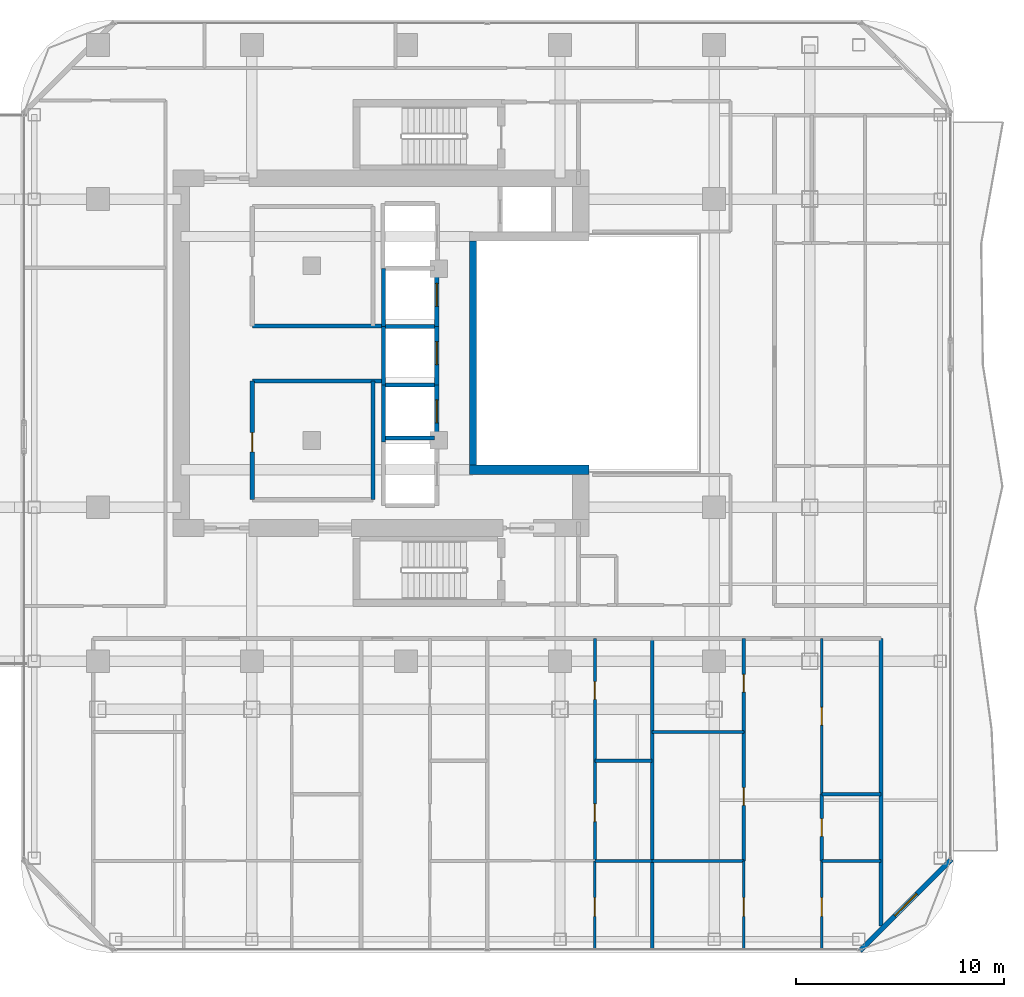
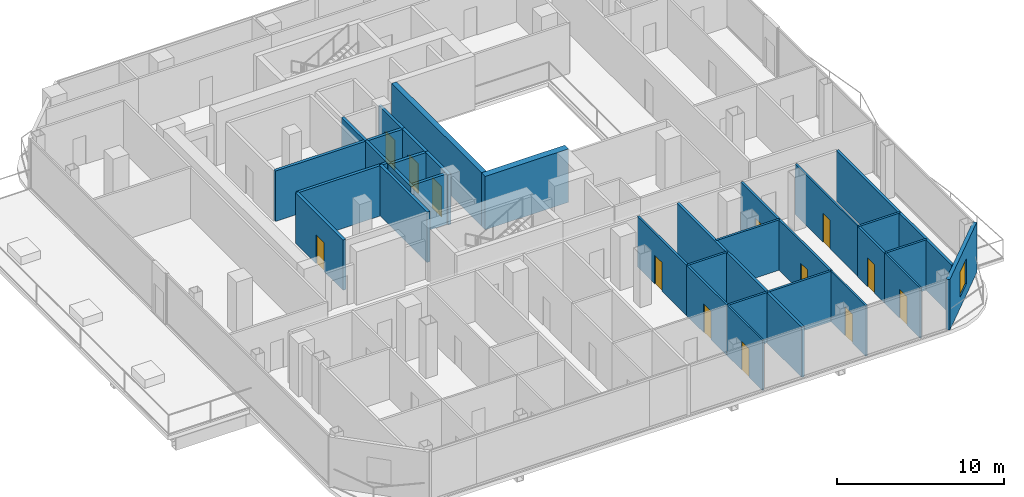
# One storey, part 21 of 26: 33 walls, 13 doors, 1 window, 14 openings.
"""IFC4 building model written with IfcOpenShell, lengths in metres."""

from ifc_helpers import new_model, si_unit, direction, frame, frame_2d, origin, place, context, subcontext, project, spatial, rectangle, extrude, material, layer, layer_set, type_object, element, fill, save


model = new_model("IFC4")

# Units and contexts
model_context = context("Model", 3, precision=1e-05, world=origin(), true_north=direction((0.0, 1.0)))
body_context = subcontext(model_context, "Body", "Model", "MODEL_VIEW")
ifc_project = project(units=[si_unit("LENGTHUNIT", "METRE"), si_unit("AREAUNIT", "SQUARE_METRE"), si_unit("VOLUMEUNIT", "CUBIC_METRE"), si_unit("PLANEANGLEUNIT", "RADIAN"), si_unit("MASSUNIT", "GRAM", prefix="KILO")], contexts=[model_context])

# Site, building, storey
site_placement = place(None, origin())
site = spatial("IfcSite", under=ifc_project, at=site_placement, CompositionType="ELEMENT")
building_placement = place(site_placement, origin())
building = spatial("IfcBuilding", under=site, at=building_placement, Name="Khorvyn Point Tower", CompositionType="ELEMENT")
storey_placement = place(building_placement, frame((0.0, 0.0, 219.60009765625)))
storey = spatial("IfcBuildingStorey", under=building, at=storey_placement, Name="L54", CompositionType="ELEMENT", Elevation=219.60009765625)

# Walls
ifc_material_1 = material(Name="Double acoustic gypsum on twin steel stud", Category="steel")
ifc_layer_1 = layer(ifc_material_1, 0.179931640625)
ifc_layer_set_1 = layer_set([ifc_layer_1], Name="Acoustic Double-Stud Apartment Demising Wall 180")
wall_type_1 = type_object("IfcWallType", Name="Acoustic Double-Stud Apartment Demising Wall 180", PredefinedType="PARTITIONING", material=ifc_layer_set_1)
wall_1_placement = place(storey_placement, frame((11.826904296875, -28.6298828125, 0.0), z_axis=(0.0, 0.0, 1.0), x_axis=(0.0, 1.0, 0.0)))
element("IfcWall", 1, at=wall_1_placement, inside=storey, type_object=wall_type_1, Name="Wall", PredefinedType="PARTITIONING", context=body_context, shape_type="SweptSolid", body=[
    extrude(rectangle(XDim=14.929931640625, YDim=0.179931640625, at=frame_2d((7.46484375, 0.0))), origin(), (0.0, 0.0, 1.0), 3.679931640625),
])
wall_2_placement = place(storey_placement, frame((22.820068359375, -27.510009765625, 0.0), z_axis=(0.0, 0.0, 1.0), x_axis=(0.0, 1.0, 0.0)))
element("IfcWall", 2, at=wall_2_placement, inside=storey, type_object=wall_type_1, Name="Wall", PredefinedType="PARTITIONING", context=body_context, shape_type="SweptSolid", body=[
    extrude(rectangle(XDim=13.81005859375, YDim=0.179931640625, at=frame_2d((6.905029296875, 0.0))), origin(), (0.0, 0.0, 1.0), 3.679931640625),
])

# Wall, opening, window
ifc_material_2 = material(Name="Pale anodised aluminium rainscreen on steel stud", Category="steel")
ifc_layer_2 = layer(ifc_material_2, 0.239990234375)
ifc_layer_set_2 = layer_set([ifc_layer_2], Name="Anodised Aluminium Insulated Corner Spandrel Wall 240")
wall_type_2 = type_object("IfcWallType", Name="Anodised Aluminium Insulated Corner Spandrel Wall 240", PredefinedType="SOLIDWALL", material=ifc_layer_set_2)
wall_3_placement = place(storey_placement, frame((26.1923828125, -24.3076171875, 0.0), z_axis=(0.0, 0.0, 1.0), x_axis=(-0.707106781187, -0.707106781187, 0.0)))
wall_3 = element("IfcWall", 3, at=wall_3_placement, inside=storey, type_object=wall_type_2, Name="L54 Rounded Corner Wall SE", PredefinedType="SOLIDWALL", context=body_context, shape_type="SweptSolid", body=[
    extrude(rectangle(XDim=6.200927734375, YDim=0.239990234375, at=frame_2d((3.1005859375, 0.0))), origin(), (0.0, 0.0, 1.0), 3.679931640625),
])
opening_1_placement = place(wall_3_placement, frame((2.3505859375, 0.0, 0.800048828125)))
opening_1 = element("IfcOpeningElement", 4, at=opening_1_placement, cuts=wall_3, Name="Opening WN-1518", PredefinedType="OPENING", context=body_context, shape_type="SweptSolid", body=[
    extrude(rectangle(XDim=1.5, YDim=1.85009765625, at=frame_2d((0.75, 0.925048828125))), frame((0.0, 0.1298828125, 0.0), z_axis=(0.0, -1.0, 0.0), x_axis=(1.0, 0.0, 0.0)), (0.0, 0.0, 1.0), 0.260009765625),
])
ifc_material_3 = material(Name="Anodised aluminium 6063-T6 and laminated Low-E glass", Category="aluminium")
window_type = type_object("IfcWindowType", Name="Anodised Aluminium Rounded-Corner Panoramic Window 1500x1850", PartitioningType="SINGLE_PANEL", PredefinedType="WINDOW", material=ifc_material_3)
window_placement = place(opening_1_placement, origin())
window = element("IfcWindow", 5, at=window_placement, inside=storey, type_object=window_type, Name="L54 Corner Panoramic Window SE", OverallHeight=1.85009765625, OverallWidth=1.5, PartitioningType="SINGLE_PANEL", PredefinedType="WINDOW", context=body_context, shape_type="SweptSolid", body=[
    extrude(rectangle(XDim=1.5, YDim=1.85009765625, at=frame_2d((0.75, 0.925048828125))), frame((0.0, 0.030029296875, 0.0), z_axis=(0.0, -1.0, 0.0), x_axis=(1.0, 0.0, 0.0)), (0.0, 0.0, 1.0), 0.06005859375),
])
fill(opening_1, window)

# Wall
ifc_material_4 = material(Name="Concrete C40/50", Category="concrete")
ifc_layer_3 = layer(ifc_material_4, 0.449951171875)
ifc_layer_set_3 = layer_set([ifc_layer_3], Name="Concrete C40/50 Core Shear Wall 450")
wall_type_3 = type_object("IfcWallType", Name="Concrete C40/50 Core Shear Wall 450", PredefinedType="SHEAR", material=ifc_layer_set_3)
wall_4_placement = place(storey_placement, frame((3.044921875, -5.60009765625, 0.0), z_axis=(0.0, 0.0, 1.0), x_axis=(1.0, 0.0, 0.0)))
element("IfcWall", 6, at=wall_4_placement, inside=storey, type_object=wall_type_3, Name="Wall", PredefinedType="SHEAR", context=body_context, shape_type="SweptSolid", body=[
    extrude(rectangle(XDim=5.755126953125, YDim=0.449951171875, at=frame_2d((2.87744140625, 0.0))), origin(), (0.0, 0.0, 1.0), 3.89990234375),
])

# Wall, opening, door
ifc_layer_4 = layer(ifc_material_4, 0.199951171875)
ifc_layer_set_4 = layer_set([ifc_layer_4], Name="Concrete C40/50 Fire-Lobby Compartment Wall 200")
wall_type_4 = type_object("IfcWallType", Name="Concrete C40/50 Fire-Lobby Compartment Wall 200", PredefinedType="SOLIDWALL", material=ifc_layer_set_4)
wall_5_placement = place(storey_placement, frame((-7.3798828125, -7.0400390625, 0.0), z_axis=(0.0, 0.0, 1.0), x_axis=(0.0, 1.0, 0.0)))
wall_5 = element("IfcWall", 7, at=wall_5_placement, inside=storey, type_object=wall_type_4, Name="Wall", PredefinedType="SOLIDWALL", context=body_context, shape_type="SweptSolid", body=[
    extrude(rectangle(XDim=5.699951171875, YDim=0.199951171875, at=frame_2d((2.85009765625, 0.0))), origin(), (0.0, 0.0, 1.0), 3.679931640625),
])
opening_2_placement = place(wall_5_placement, frame((2.30078125, 0.0, 0.0)))
opening_2 = element("IfcOpeningElement", 8, at=opening_2_placement, cuts=wall_5, Name="Opening ID-RS60", PredefinedType="OPENING", context=body_context, shape_type="SweptSolid", body=[
    extrude(rectangle(XDim=0.919921875, YDim=2.10009765625, at=frame_2d((0.4599609375, 1.050048828125))), frame((0.0, 0.10986328125, 0.0), z_axis=(0.0, -1.0, 0.0), x_axis=(1.0, 0.0, 0.0)), (0.0, 0.0, 1.0), 0.219970703125),
])
ifc_material_5 = material(Name="Galvanised powder-coated steel", Category="steel")
door_type_1 = type_object("IfcDoorType", Name="Fire-Rated Riser and Store Steel Door 920x2100", OperationType="NOTDEFINED", PredefinedType="DOOR", material=ifc_material_5)
door_1_placement = place(opening_2_placement, origin())
door_1 = element("IfcDoor", 9, at=door_1_placement, inside=storey, type_object=door_type_1, Name="Door", OperationType="SINGLE_SWING_LEFT", OverallHeight=2.10009765625, OverallWidth=0.919921875, PredefinedType="DOOR", context=body_context, shape_type="SweptSolid", body=[
    extrude(rectangle(XDim=0.919921875, YDim=2.10009765625, at=frame_2d((0.4599609375, 1.050048828125))), frame((0.0, 0.02490234375, 0.0), z_axis=(0.0, -1.0, 0.0), x_axis=(1.0, 0.0, 0.0)), (0.0, 0.0, 1.0), 0.050048828125),
])
fill(opening_2, door_1)

# Walls
for number, where, z_axis, x_axis, name in (
    (10, (-7.3798828125, -1.340087890625, 0.0), (0.0, 0.0, 1.0), (1.0, 0.0, 0.0), "Wall"),
    (11, (-7.3798828125, 1.300048828125, 0.0), (0.0, 0.0, 1.0), (1.0, 0.0, 0.0), "Wall"),
):
    element("IfcWall", number, at=place(storey_placement, frame(where, z_axis=z_axis, x_axis=x_axis)), inside=storey, type_object=wall_type_4, Name=name, PredefinedType="SOLIDWALL", context=body_context, shape_type="SweptSolid", body=[
        extrude(rectangle(XDim=6.239990234375, YDim=0.199951171875, at=frame_2d((3.1201171875, 0.0))), origin(), (0.0, 0.0, 1.0), 3.679931640625),
    ])
wall_6_placement = place(storey_placement, frame((-1.580078125, -7.0400390625, 0.0), z_axis=(0.0, 0.0, 1.0), x_axis=(0.0, 1.0, 0.0)))
element("IfcWall", 12, at=wall_6_placement, inside=storey, type_object=wall_type_4, Name="Wall", PredefinedType="SOLIDWALL", context=body_context, shape_type="SweptSolid", body=[
    extrude(rectangle(XDim=5.699951171875, YDim=0.199951171875, at=frame_2d((2.85009765625, 0.0))), origin(), (0.0, 0.0, 1.0), 3.679931640625),
])
ifc_layer_5 = layer(ifc_material_4, 0.35009765625)
ifc_layer_set_5 = layer_set([ifc_layer_5], Name="Concrete C40/50 Stair Shaft Structural Wall 350")
wall_type_5 = type_object("IfcWallType", Name="Concrete C40/50 Stair Shaft Structural Wall 350", PredefinedType="SHEAR", material=ifc_layer_set_5)
wall_7_placement = place(storey_placement, frame((3.219970703125, -5.375, 0.0), z_axis=(0.0, 0.0, 1.0), x_axis=(0.0, 1.0, 0.0)))
element("IfcWall", 13, at=wall_7_placement, inside=storey, type_object=wall_type_5, Name="Wall", PredefinedType="SHEAR", context=body_context, shape_type="SweptSolid", body=[
    extrude(rectangle(XDim=10.75, YDim=0.35009765625, at=frame_2d((5.375, 0.0))), origin(), (0.0, 0.0, 1.0), 3.89990234375),
])
ifc_layer_6 = layer(ifc_material_4, 0.199951171875)
ifc_layer_set_6 = layer_set([ifc_layer_6], Name="Concrete C40/50 Structural Hoistway and Stair Shaft Wall 200")
wall_type_6 = type_object("IfcWallType", Name="Concrete C40/50 Structural Hoistway and Stair Shaft Wall 200", PredefinedType="SHEAR", material=ifc_layer_set_6)
wall_8_placement = place(storey_placement, frame((-1.074951171875, -4.27490234375, 0.0), z_axis=(0.0, 0.0, 1.0), x_axis=(0.0, 1.0, 0.0)))
element("IfcWall", 14, at=wall_8_placement, inside=storey, type_object=wall_type_6, Name="Wall", PredefinedType="SHEAR", context=body_context, shape_type="SweptSolid", body=[
    extrude(rectangle(XDim=2.75, YDim=0.199951171875, at=frame_2d((1.375, 0.0))), origin(), (0.0, 0.0, 1.0), 3.679931640625),
])

# Wall, opening, door
wall_9_placement = place(storey_placement, frame((1.47509765625, -4.27490234375, 0.0), z_axis=(0.0, 0.0, 1.0), x_axis=(0.0, 1.0, 0.0)))
wall_9 = element("IfcWall", 15, at=wall_9_placement, inside=storey, type_object=wall_type_6, Name="Wall", PredefinedType="SHEAR", context=body_context, shape_type="SweptSolid", body=[
    extrude(rectangle(XDim=2.75, YDim=0.199951171875, at=frame_2d((1.375, 0.0))), origin(), (0.0, 0.0, 1.0), 3.679931640625),
])
opening_3_placement = place(wall_9_placement, frame((0.925048828125, 0.0, 0.0)))
opening_3 = element("IfcOpeningElement", 16, at=opening_3_placement, cuts=wall_9, Name="Opening LD-1122", PredefinedType="OPENING", context=body_context, shape_type="SweptSolid", body=[
    extrude(rectangle(XDim=1.10009765625, YDim=2.199951171875, at=frame_2d((0.550048828125, 1.10009765625))), frame((0.0, 0.10986328125, 0.0), z_axis=(0.0, -1.0, 0.0), x_axis=(1.0, 0.0, 0.0)), (0.0, 0.0, 1.0), 0.219970703125),
])
ifc_material_6 = material(Name="Stainless steel 1.4301", Category="steel")
door_type_2 = type_object("IfcDoorType", Name="Stainless Steel Automatic Sliding Lift Landing Door 1100x2200", OperationType="SLIDING_TO_LEFT", PredefinedType="DOOR", material=ifc_material_6)
door_2_placement = place(opening_3_placement, origin())
door_2 = element("IfcDoor", 17, at=door_2_placement, inside=storey, type_object=door_type_2, Name="L54 RH-01 Sliding Lift Landing Door", OperationType="SLIDING_TO_LEFT", OverallHeight=2.199951171875, OverallWidth=1.10009765625, PredefinedType="DOOR", context=body_context, shape_type="SweptSolid", body=[
    extrude(rectangle(XDim=1.10009765625, YDim=2.199951171875, at=frame_2d((0.550048828125, 1.10009765625))), frame((0.0, 0.02490234375, 0.0), z_axis=(0.0, -1.0, 0.0), x_axis=(1.0, 0.0, 0.0)), (0.0, 0.0, 1.0), 0.050048828125),
])
fill(opening_3, door_2)

# Walls
for number, where, z_axis, x_axis, name in (
    (18, (-0.97509765625, -4.074951171875, 0.0), (0.0, 0.0, 1.0), (1.0, 0.0, 0.0), "Wall"),
    (19, (-0.97509765625, -1.52490234375, 0.0), (0.0, 0.0, 1.0), (1.0, 0.0, 0.0), "Wall"),
):
    element("IfcWall", number, at=place(storey_placement, frame(where, z_axis=z_axis, x_axis=x_axis)), inside=storey, type_object=wall_type_6, Name=name, PredefinedType="SHEAR", context=body_context, shape_type="SweptSolid", body=[
        extrude(rectangle(XDim=2.35009765625, YDim=0.199951171875, at=frame_2d((1.175048828125, 0.0))), origin(), (0.0, 0.0, 1.0), 3.679931640625),
    ])
wall_10_placement = place(storey_placement, frame((-1.074951171875, -1.52490234375, 0.0), z_axis=(0.0, 0.0, 1.0), x_axis=(0.0, 1.0, 0.0)))
element("IfcWall", 20, at=wall_10_placement, inside=storey, type_object=wall_type_6, Name="Wall", PredefinedType="SHEAR", context=body_context, shape_type="SweptSolid", body=[
    extrude(rectangle(XDim=2.7998046875, YDim=0.199951171875, at=frame_2d((1.39990234375, 0.0))), origin(), (0.0, 0.0, 1.0), 3.679931640625),
])

# Wall, opening, door
wall_11_placement = place(storey_placement, frame((1.47509765625, -1.52490234375, 0.0), z_axis=(0.0, 0.0, 1.0), x_axis=(0.0, 1.0, 0.0)))
wall_11 = element("IfcWall", 21, at=wall_11_placement, inside=storey, type_object=wall_type_6, Name="Wall", PredefinedType="SHEAR", context=body_context, shape_type="SweptSolid", body=[
    extrude(rectangle(XDim=2.7998046875, YDim=0.199951171875, at=frame_2d((1.39990234375, 0.0))), origin(), (0.0, 0.0, 1.0), 3.679931640625),
])
opening_4_placement = place(wall_11_placement, frame((0.97509765625, 0.0, 0.0)))
opening_4 = element("IfcOpeningElement", 22, at=opening_4_placement, cuts=wall_11, Name="Opening LD-1122", PredefinedType="OPENING", context=body_context, shape_type="SweptSolid", body=[
    extrude(rectangle(XDim=1.10009765625, YDim=2.199951171875, at=frame_2d((0.550048828125, 1.10009765625))), frame((0.0, 0.10986328125, 0.0), z_axis=(0.0, -1.0, 0.0), x_axis=(1.0, 0.0, 0.0)), (0.0, 0.0, 1.0), 0.219970703125),
])
door_3_placement = place(opening_4_placement, origin())
door_3 = element("IfcDoor", 23, at=door_3_placement, inside=storey, type_object=door_type_2, Name="L54 RH-02 Sliding Lift Landing Door", OperationType="SLIDING_TO_LEFT", OverallHeight=2.199951171875, OverallWidth=1.10009765625, PredefinedType="DOOR", context=body_context, shape_type="SweptSolid", body=[
    extrude(rectangle(XDim=1.10009765625, YDim=2.199951171875, at=frame_2d((0.550048828125, 1.10009765625))), frame((0.0, 0.02490234375, 0.0), z_axis=(0.0, -1.0, 0.0), x_axis=(1.0, 0.0, 0.0)), (0.0, 0.0, 1.0), 0.050048828125),
])
fill(opening_4, door_3)

# Walls
wall_12_placement = place(storey_placement, frame((-0.97509765625, 1.27490234375, 0.0), z_axis=(0.0, 0.0, 1.0), x_axis=(1.0, 0.0, 0.0)))
element("IfcWall", 24, at=wall_12_placement, inside=storey, type_object=wall_type_6, Name="Wall", PredefinedType="SHEAR", context=body_context, shape_type="SweptSolid", body=[
    extrude(rectangle(XDim=2.35009765625, YDim=0.199951171875, at=frame_2d((1.175048828125, 0.0))), origin(), (0.0, 0.0, 1.0), 3.679931640625),
])
wall_13_placement = place(storey_placement, frame((-1.074951171875, 1.27490234375, 0.0), z_axis=(0.0, 0.0, 1.0), x_axis=(0.0, 1.0, 0.0)))
element("IfcWall", 25, at=wall_13_placement, inside=storey, type_object=wall_type_6, Name="Wall", PredefinedType="SHEAR", context=body_context, shape_type="SweptSolid", body=[
    extrude(rectangle(XDim=2.800048828125, YDim=0.199951171875, at=frame_2d((1.39990234375, 0.0))), origin(), (0.0, 0.0, 1.0), 3.679931640625),
])

# Wall, opening, door
wall_14_placement = place(storey_placement, frame((1.47509765625, 1.27490234375, 0.0), z_axis=(0.0, 0.0, 1.0), x_axis=(0.0, 1.0, 0.0)))
wall_14 = element("IfcWall", 26, at=wall_14_placement, inside=storey, type_object=wall_type_6, Name="Wall", PredefinedType="SHEAR", context=body_context, shape_type="SweptSolid", body=[
    extrude(rectangle(XDim=2.800048828125, YDim=0.199951171875, at=frame_2d((1.39990234375, 0.0))), origin(), (0.0, 0.0, 1.0), 3.679931640625),
])
opening_5_placement = place(wall_14_placement, frame((0.97509765625, 0.0, 0.0)))
opening_5 = element("IfcOpeningElement", 27, at=opening_5_placement, cuts=wall_14, Name="Opening LD-1122", PredefinedType="OPENING", context=body_context, shape_type="SweptSolid", body=[
    extrude(rectangle(XDim=1.10009765625, YDim=2.199951171875, at=frame_2d((0.550048828125, 1.10009765625))), frame((0.0, 0.10986328125, 0.0), z_axis=(0.0, -1.0, 0.0), x_axis=(1.0, 0.0, 0.0)), (0.0, 0.0, 1.0), 0.219970703125),
])
door_4_placement = place(opening_5_placement, origin())
door_4 = element("IfcDoor", 28, at=door_4_placement, inside=storey, type_object=door_type_2, Name="L54 RH-03 Sliding Lift Landing Door", OperationType="SLIDING_TO_LEFT", OverallHeight=2.199951171875, OverallWidth=1.10009765625, PredefinedType="DOOR", context=body_context, shape_type="SweptSolid", body=[
    extrude(rectangle(XDim=1.10009765625, YDim=2.199951171875, at=frame_2d((0.550048828125, 1.10009765625))), frame((0.0, 0.02490234375, 0.0), z_axis=(0.0, -1.0, 0.0), x_axis=(1.0, 0.0, 0.0)), (0.0, 0.0, 1.0), 0.050048828125),
])
fill(opening_5, door_4)

ifc_material_7 = material(Name="Gypsum plasterboard on steel stud", Category="steel")
ifc_layer_7 = layer(ifc_material_7, 0.1201171875)
ifc_layer_set_7 = layer_set([ifc_layer_7], Name="Gypsum Acoustic Stud Room Partition Wall 120")
wall_type_7 = type_object("IfcWallType", Name="Gypsum Acoustic Stud Room Partition Wall 120", PredefinedType="PARTITIONING", material=ifc_layer_set_7)
wall_15_placement = place(storey_placement, frame((9.076904296875, -28.6298828125, 0.0), z_axis=(0.0, 0.0, 1.0), x_axis=(0.0, 1.0, 0.0)))
wall_15 = element("IfcWall", 29, at=wall_15_placement, inside=storey, type_object=wall_type_7, Name="Wall", PredefinedType="PARTITIONING", context=body_context, shape_type="SweptSolid", body=[
    extrude(rectangle(XDim=4.239990234375, YDim=0.1201171875, at=frame_2d((2.1201171875, 0.0))), origin(), (0.0, 0.0, 1.0), 3.679931640625),
])
opening_6_placement = place(wall_15_placement, frame((1.581298828125, 0.0, 0.0)))
opening_6 = element("IfcOpeningElement", 30, at=opening_6_placement, cuts=wall_15, Name="Opening ID-RM90", PredefinedType="OPENING", context=body_context, shape_type="SweptSolid", body=[
    extrude(rectangle(XDim=0.89990234375, YDim=2.10009765625, at=frame_2d((0.449951171875, 1.050048828125))), frame((0.0, 0.070068359375, 0.0), z_axis=(0.0, -1.0, 0.0), x_axis=(1.0, 0.0, 0.0)), (0.0, 0.0, 1.0), 0.14013671875),
])
ifc_material_8 = material(Name="Engineered oak veneer timber", Category="wood")
door_type_3 = type_object("IfcDoorType", Name="Flush Engineered Timber Room Door 900x2100", OperationType="NOTDEFINED", PredefinedType="DOOR", material=ifc_material_8)
door_5_placement = place(opening_6_placement, origin())
door_5 = element("IfcDoor", 31, at=door_5_placement, inside=storey, type_object=door_type_3, Name="Door", OperationType="SINGLE_SWING_RIGHT", OverallHeight=2.10009765625, OverallWidth=0.89990234375, PredefinedType="DOOR", context=body_context, shape_type="SweptSolid", body=[
    extrude(rectangle(XDim=0.89990234375, YDim=2.10009765625, at=frame_2d((0.449951171875, 1.050048828125))), frame((0.0, 0.02490234375, 0.0), z_axis=(0.0, -1.0, 0.0), x_axis=(1.0, 0.0, 0.0)), (0.0, 0.0, 1.0), 0.050048828125),
])
fill(opening_6, door_5)

wall_16_placement = place(storey_placement, frame((16.22412109375, -28.6298828125, 0.0), z_axis=(0.0, 0.0, 1.0), x_axis=(0.0, 1.0, 0.0)))
wall_16 = element("IfcWall", 32, at=wall_16_placement, inside=storey, type_object=wall_type_7, Name="Wall", PredefinedType="PARTITIONING", context=body_context, shape_type="SweptSolid", body=[
    extrude(rectangle(XDim=4.239990234375, YDim=0.1201171875, at=frame_2d((2.1201171875, 0.0))), origin(), (0.0, 0.0, 1.0), 3.679931640625),
])
opening_7_placement = place(wall_16_placement, frame((1.581298828125, 0.0, 0.0)))
opening_7 = element("IfcOpeningElement", 33, at=opening_7_placement, cuts=wall_16, Name="Opening ID-RM90", PredefinedType="OPENING", context=body_context, shape_type="SweptSolid", body=[
    extrude(rectangle(XDim=0.89990234375, YDim=2.10009765625, at=frame_2d((0.449951171875, 1.050048828125))), frame((0.0, 0.070068359375, 0.0), z_axis=(0.0, -1.0, 0.0), x_axis=(1.0, 0.0, 0.0)), (0.0, 0.0, 1.0), 0.14013671875),
])
door_6_placement = place(opening_7_placement, origin())
door_6 = element("IfcDoor", 34, at=door_6_placement, inside=storey, type_object=door_type_3, Name="Door", OperationType="SINGLE_SWING_RIGHT", OverallHeight=2.10009765625, OverallWidth=0.89990234375, PredefinedType="DOOR", context=body_context, shape_type="SweptSolid", body=[
    extrude(rectangle(XDim=0.89990234375, YDim=2.10009765625, at=frame_2d((0.449951171875, 1.050048828125))), frame((0.0, 0.02490234375, 0.0), z_axis=(0.0, -1.0, 0.0), x_axis=(1.0, 0.0, 0.0)), (0.0, 0.0, 1.0), 0.050048828125),
])
fill(opening_7, door_6)

wall_17_placement = place(storey_placement, frame((19.969970703125, -21.18310546875, 0.0), z_axis=(0.0, 0.0, 1.0), x_axis=(0.0, 1.0, 0.0)))
wall_17 = element("IfcWall", 35, at=wall_17_placement, inside=storey, type_object=wall_type_7, Name="Wall", PredefinedType="PARTITIONING", context=body_context, shape_type="SweptSolid", body=[
    extrude(rectangle(XDim=7.483154296875, YDim=0.1201171875, at=frame_2d((3.74169921875, 0.0))), origin(), (0.0, 0.0, 1.0), 3.679931640625),
])
opening_8_placement = place(wall_17_placement, frame((3.31640625, 0.0, 0.0)))
opening_8 = element("IfcOpeningElement", 36, at=opening_8_placement, cuts=wall_17, Name="Opening ID-WC85", PredefinedType="OPENING", context=body_context, shape_type="SweptSolid", body=[
    extrude(rectangle(XDim=0.85009765625, YDim=2.10009765625, at=frame_2d((0.425048828125, 1.050048828125))), frame((0.0, 0.070068359375, 0.0), z_axis=(0.0, -1.0, 0.0), x_axis=(1.0, 0.0, 0.0)), (0.0, 0.0, 1.0), 0.14013671875),
])
ifc_material_9 = material(Name="High-pressure laminate on moisture-resistant core", Category="wood")
door_type_4 = type_object("IfcDoorType", Name="Moisture-Resistant Accessible Washroom Door 850x2100", OperationType="NOTDEFINED", PredefinedType="DOOR", material=ifc_material_9)
door_7_placement = place(opening_8_placement, origin())
door_7 = element("IfcDoor", 37, at=door_7_placement, inside=storey, type_object=door_type_4, Name="Door", OperationType="SINGLE_SWING_RIGHT", OverallHeight=2.10009765625, OverallWidth=0.85009765625, PredefinedType="DOOR", context=body_context, shape_type="SweptSolid", body=[
    extrude(rectangle(XDim=0.85009765625, YDim=2.10009765625, at=frame_2d((0.425048828125, 1.050048828125))), frame((0.0, 0.02490234375, 0.0), z_axis=(0.0, -1.0, 0.0), x_axis=(1.0, 0.0, 0.0)), (0.0, 0.0, 1.0), 0.050048828125),
])
fill(opening_8, door_7)

wall_18_placement = place(storey_placement, frame((19.969970703125, -28.6298828125, 0.0), z_axis=(0.0, 0.0, 1.0), x_axis=(0.0, 1.0, 0.0)))
wall_18 = element("IfcWall", 38, at=wall_18_placement, inside=storey, type_object=wall_type_7, Name="Wall", PredefinedType="PARTITIONING", context=body_context, shape_type="SweptSolid", body=[
    extrude(rectangle(XDim=4.239990234375, YDim=0.1201171875, at=frame_2d((2.1201171875, 0.0))), origin(), (0.0, 0.0, 1.0), 3.679931640625),
])
opening_9_placement = place(wall_18_placement, frame((1.581298828125, 0.0, 0.0)))
opening_9 = element("IfcOpeningElement", 39, at=opening_9_placement, cuts=wall_18, Name="Opening ID-RM90", PredefinedType="OPENING", context=body_context, shape_type="SweptSolid", body=[
    extrude(rectangle(XDim=0.89990234375, YDim=2.10009765625, at=frame_2d((0.449951171875, 1.050048828125))), frame((0.0, 0.070068359375, 0.0), z_axis=(0.0, -1.0, 0.0), x_axis=(1.0, 0.0, 0.0)), (0.0, 0.0, 1.0), 0.14013671875),
])
door_8_placement = place(opening_9_placement, origin())
door_8 = element("IfcDoor", 40, at=door_8_placement, inside=storey, type_object=door_type_3, Name="Door", OperationType="SINGLE_SWING_LEFT", OverallHeight=2.10009765625, OverallWidth=0.89990234375, PredefinedType="DOOR", context=body_context, shape_type="SweptSolid", body=[
    extrude(rectangle(XDim=0.89990234375, YDim=2.10009765625, at=frame_2d((0.449951171875, 1.050048828125))), frame((0.0, 0.02490234375, 0.0), z_axis=(0.0, -1.0, 0.0), x_axis=(1.0, 0.0, 0.0)), (0.0, 0.0, 1.0), 0.050048828125),
])
fill(opening_9, door_8)

ifc_material_10 = material(Name="Moisture-resistant gypsum and cement board", Category="gypsum")
ifc_layer_8 = layer(ifc_material_10, 0.14990234375)
ifc_layer_set_8 = layer_set([ifc_layer_8], Name="Moisture-Resistant Wet-Room Partition Wall 150")
wall_type_8 = type_object("IfcWallType", Name="Moisture-Resistant Wet-Room Partition Wall 150", PredefinedType="PARTITIONING", material=ifc_layer_set_8)
wall_19_placement = place(storey_placement, frame((9.076904296875, -19.5791015625, 0.0), z_axis=(0.0, 0.0, 1.0), x_axis=(0.0, 1.0, 0.0)))
wall_19 = element("IfcWall", 41, at=wall_19_placement, inside=storey, type_object=wall_type_8, Name="Wall", PredefinedType="PARTITIONING", context=body_context, shape_type="SweptSolid", body=[
    extrude(rectangle(XDim=5.879150390625, YDim=0.14990234375, at=frame_2d((2.939453125, 0.0))), origin(), (0.0, 0.0, 1.0), 3.679931640625),
])
opening_10_placement = place(wall_19_placement, frame((2.950439453125, 0.0, 0.0)))
opening_10 = element("IfcOpeningElement", 42, at=opening_10_placement, cuts=wall_19, Name="Opening ID-WC85", PredefinedType="OPENING", context=body_context, shape_type="SweptSolid", body=[
    extrude(rectangle(XDim=0.85009765625, YDim=2.10009765625, at=frame_2d((0.425048828125, 1.050048828125))), frame((0.0, 0.0849609375, 0.0), z_axis=(0.0, -1.0, 0.0), x_axis=(1.0, 0.0, 0.0)), (0.0, 0.0, 1.0), 0.169921875),
])
door_9_placement = place(opening_10_placement, origin())
door_9 = element("IfcDoor", 43, at=door_9_placement, inside=storey, type_object=door_type_4, Name="Door", OperationType="SINGLE_SWING_RIGHT", OverallHeight=2.10009765625, OverallWidth=0.85009765625, PredefinedType="DOOR", context=body_context, shape_type="SweptSolid", body=[
    extrude(rectangle(XDim=0.85009765625, YDim=2.10009765625, at=frame_2d((0.425048828125, 1.050048828125))), frame((0.0, 0.02490234375, 0.0), z_axis=(0.0, -1.0, 0.0), x_axis=(1.0, 0.0, 0.0)), (0.0, 0.0, 1.0), 0.050048828125),
])
fill(opening_10, door_9)

wall_20_placement = place(storey_placement, frame((9.076904296875, -24.389892578125, 0.0), z_axis=(0.0, 0.0, 1.0), x_axis=(0.0, 1.0, 0.0)))
wall_20 = element("IfcWall", 44, at=wall_20_placement, inside=storey, type_object=wall_type_8, Name="Wall", PredefinedType="PARTITIONING", context=body_context, shape_type="SweptSolid", body=[
    extrude(rectangle(XDim=4.810791015625, YDim=0.14990234375, at=frame_2d((2.4052734375, 0.0))), origin(), (0.0, 0.0, 1.0), 3.679931640625),
])
opening_11_placement = place(wall_20_placement, frame((1.893798828125, 0.0, 0.0)))
opening_11 = element("IfcOpeningElement", 45, at=opening_11_placement, cuts=wall_20, Name="Opening ID-WC85", PredefinedType="OPENING", context=body_context, shape_type="SweptSolid", body=[
    extrude(rectangle(XDim=0.85009765625, YDim=2.10009765625, at=frame_2d((0.425048828125, 1.050048828125))), frame((0.0, 0.0849609375, 0.0), z_axis=(0.0, -1.0, 0.0), x_axis=(1.0, 0.0, 0.0)), (0.0, 0.0, 1.0), 0.169921875),
])
door_10_placement = place(opening_11_placement, origin())
door_10 = element("IfcDoor", 46, at=door_10_placement, inside=storey, type_object=door_type_4, Name="Door", OperationType="SINGLE_SWING_LEFT", OverallHeight=2.10009765625, OverallWidth=0.85009765625, PredefinedType="DOOR", context=body_context, shape_type="SweptSolid", body=[
    extrude(rectangle(XDim=0.85009765625, YDim=2.10009765625, at=frame_2d((0.425048828125, 1.050048828125))), frame((0.0, 0.02490234375, 0.0), z_axis=(0.0, -1.0, 0.0), x_axis=(1.0, 0.0, 0.0)), (0.0, 0.0, 1.0), 0.050048828125),
])
fill(opening_11, door_10)

wall_21_placement = place(storey_placement, frame((16.22412109375, -24.389892578125, 0.0), z_axis=(0.0, 0.0, 1.0), x_axis=(0.0, 1.0, 0.0)))
wall_21 = element("IfcWall", 47, at=wall_21_placement, inside=storey, type_object=wall_type_8, Name="Wall", PredefinedType="PARTITIONING", context=body_context, shape_type="SweptSolid", body=[
    extrude(rectangle(XDim=6.199951171875, YDim=0.14990234375, at=frame_2d((3.10009765625, 0.0))), origin(), (0.0, 0.0, 1.0), 3.679931640625),
])
opening_12_placement = place(wall_21_placement, frame((2.675048828125, 0.0, 0.0)))
opening_12 = element("IfcOpeningElement", 48, at=opening_12_placement, cuts=wall_21, Name="Opening ID-WC85", PredefinedType="OPENING", context=body_context, shape_type="SweptSolid", body=[
    extrude(rectangle(XDim=0.85009765625, YDim=2.10009765625, at=frame_2d((0.425048828125, 1.050048828125))), frame((0.0, 0.0849609375, 0.0), z_axis=(0.0, -1.0, 0.0), x_axis=(1.0, 0.0, 0.0)), (0.0, 0.0, 1.0), 0.169921875),
])
door_11_placement = place(opening_12_placement, origin())
door_11 = element("IfcDoor", 49, at=door_11_placement, inside=storey, type_object=door_type_4, Name="Door", OperationType="SINGLE_SWING_RIGHT", OverallHeight=2.10009765625, OverallWidth=0.85009765625, PredefinedType="DOOR", context=body_context, shape_type="SweptSolid", body=[
    extrude(rectangle(XDim=0.85009765625, YDim=2.10009765625, at=frame_2d((0.425048828125, 1.050048828125))), frame((0.0, 0.02490234375, 0.0), z_axis=(0.0, -1.0, 0.0), x_axis=(1.0, 0.0, 0.0)), (0.0, 0.0, 1.0), 0.050048828125),
])
fill(opening_12, door_11)

wall_22_placement = place(storey_placement, frame((16.22412109375, -18.18994140625, 0.0), z_axis=(0.0, 0.0, 1.0), x_axis=(0.0, 1.0, 0.0)))
wall_22 = element("IfcWall", 50, at=wall_22_placement, inside=storey, type_object=wall_type_8, Name="Wall", PredefinedType="PARTITIONING", context=body_context, shape_type="SweptSolid", body=[
    extrude(rectangle(XDim=4.489990234375, YDim=0.14990234375, at=frame_2d((2.2451171875, 0.0))), origin(), (0.0, 0.0, 1.0), 3.679931640625),
])
opening_13_placement = place(wall_22_placement, frame((1.907470703125, 0.0, 0.0)))
opening_13 = element("IfcOpeningElement", 51, at=opening_13_placement, cuts=wall_22, Name="Opening ID-WC85", PredefinedType="OPENING", context=body_context, shape_type="SweptSolid", body=[
    extrude(rectangle(XDim=0.85009765625, YDim=2.10009765625, at=frame_2d((0.425048828125, 1.050048828125))), frame((0.0, 0.0849609375, 0.0), z_axis=(0.0, -1.0, 0.0), x_axis=(1.0, 0.0, 0.0)), (0.0, 0.0, 1.0), 0.169921875),
])
door_12_placement = place(opening_13_placement, origin())
door_12 = element("IfcDoor", 52, at=door_12_placement, inside=storey, type_object=door_type_4, Name="Door", OperationType="SINGLE_SWING_LEFT", OverallHeight=2.10009765625, OverallWidth=0.85009765625, PredefinedType="DOOR", context=body_context, shape_type="SweptSolid", body=[
    extrude(rectangle(XDim=0.85009765625, YDim=2.10009765625, at=frame_2d((0.425048828125, 1.050048828125))), frame((0.0, 0.02490234375, 0.0), z_axis=(0.0, -1.0, 0.0), x_axis=(1.0, 0.0, 0.0)), (0.0, 0.0, 1.0), 0.050048828125),
])
fill(opening_13, door_12)

wall_23_placement = place(storey_placement, frame((19.969970703125, -24.389892578125, 0.0), z_axis=(0.0, 0.0, 1.0), x_axis=(0.0, 1.0, 0.0)))
wall_23 = element("IfcWall", 53, at=wall_23_placement, inside=storey, type_object=wall_type_8, Name="Wall", PredefinedType="PARTITIONING", context=body_context, shape_type="SweptSolid", body=[
    extrude(rectangle(XDim=3.206787109375, YDim=0.14990234375, at=frame_2d((1.603515625, 0.0))), origin(), (0.0, 0.0, 1.0), 3.679931640625),
])
opening_14_placement = place(wall_23_placement, frame((1.178466796875, 0.0, 0.0)))
opening_14 = element("IfcOpeningElement", 54, at=opening_14_placement, cuts=wall_23, Name="Opening ID-WC85", PredefinedType="OPENING", context=body_context, shape_type="SweptSolid", body=[
    extrude(rectangle(XDim=0.85009765625, YDim=2.10009765625, at=frame_2d((0.425048828125, 1.050048828125))), frame((0.0, 0.0849609375, 0.0), z_axis=(0.0, -1.0, 0.0), x_axis=(1.0, 0.0, 0.0)), (0.0, 0.0, 1.0), 0.169921875),
])
door_13_placement = place(opening_14_placement, origin())
door_13 = element("IfcDoor", 55, at=door_13_placement, inside=storey, type_object=door_type_4, Name="Door", OperationType="SINGLE_SWING_LEFT", OverallHeight=2.10009765625, OverallWidth=0.85009765625, PredefinedType="DOOR", context=body_context, shape_type="SweptSolid", body=[
    extrude(rectangle(XDim=0.85009765625, YDim=2.10009765625, at=frame_2d((0.425048828125, 1.050048828125))), frame((0.0, 0.02490234375, 0.0), z_axis=(0.0, -1.0, 0.0), x_axis=(1.0, 0.0, 0.0)), (0.0, 0.0, 1.0), 0.050048828125),
])
fill(opening_14, door_13)

# Walls
for number, where, z_axis, x_axis, name in (
    (56, (9.076904296875, -19.5791015625, 0.0), (0.0, 0.0, 1.0), (1.0, 0.0, 0.0), "Wall"),
    (57, (9.076904296875, -24.389892578125, 0.0), (0.0, 0.0, 1.0), (1.0, 0.0, 0.0), "Wall"),
):
    element("IfcWall", number, at=place(storey_placement, frame(where, z_axis=z_axis, x_axis=x_axis)), inside=storey, type_object=wall_type_8, Name=name, PredefinedType="PARTITIONING", context=body_context, shape_type="SweptSolid", body=[
        extrude(rectangle(XDim=2.75, YDim=0.14990234375, at=frame_2d((1.375, 0.0))), origin(), (0.0, 0.0, 1.0), 3.679931640625),
    ])
for number, where, z_axis, x_axis, name in (
    (58, (11.826904296875, -18.18994140625, 0.0), (0.0, 0.0, 1.0), (1.0, 0.0, 0.0), "Wall"),
    (59, (11.826904296875, -24.389892578125, 0.0), (0.0, 0.0, 1.0), (1.0, 0.0, 0.0), "Wall"),
):
    element("IfcWall", number, at=place(storey_placement, frame(where, z_axis=z_axis, x_axis=x_axis)), inside=storey, type_object=wall_type_8, Name=name, PredefinedType="PARTITIONING", context=body_context, shape_type="SweptSolid", body=[
        extrude(rectangle(XDim=4.397216796875, YDim=0.14990234375, at=frame_2d((2.19873046875, 0.0))), origin(), (0.0, 0.0, 1.0), 3.679931640625),
    ])
for number, where, z_axis, x_axis, name in (
    (60, (19.969970703125, -21.18310546875, 0.0), (0.0, 0.0, 1.0), (1.0, 0.0, 0.0), "Wall"),
    (61, (19.969970703125, -24.389892578125, 0.0), (0.0, 0.0, 1.0), (1.0, 0.0, 0.0), "Wall"),
):
    element("IfcWall", number, at=place(storey_placement, frame(where, z_axis=z_axis, x_axis=x_axis)), inside=storey, type_object=wall_type_8, Name=name, PredefinedType="PARTITIONING", context=body_context, shape_type="SweptSolid", body=[
        extrude(rectangle(XDim=2.85009765625, YDim=0.14990234375, at=frame_2d((1.425048828125, 0.0))), origin(), (0.0, 0.0, 1.0), 3.679931640625),
    ])

save(model, "model.ifc")
